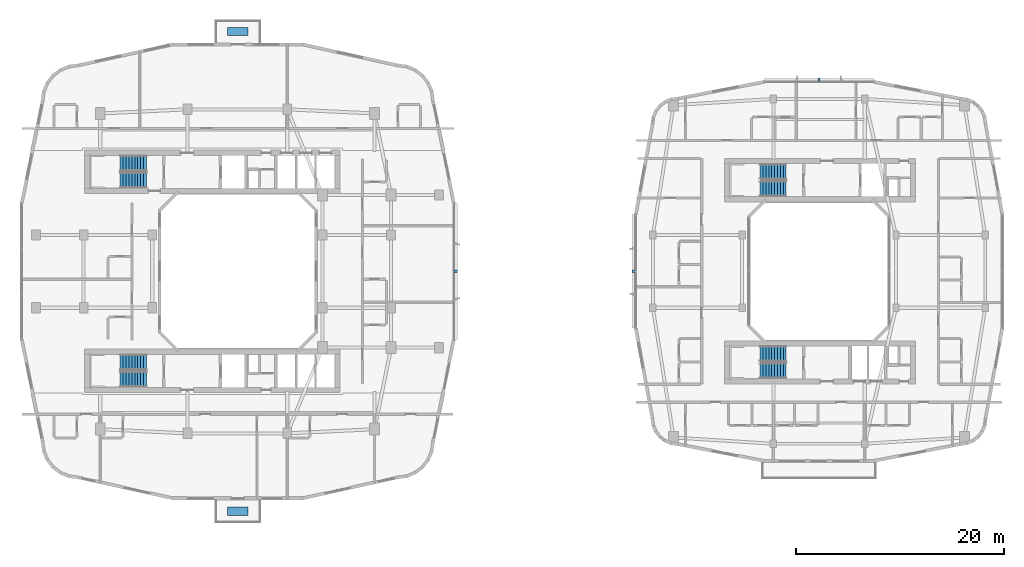
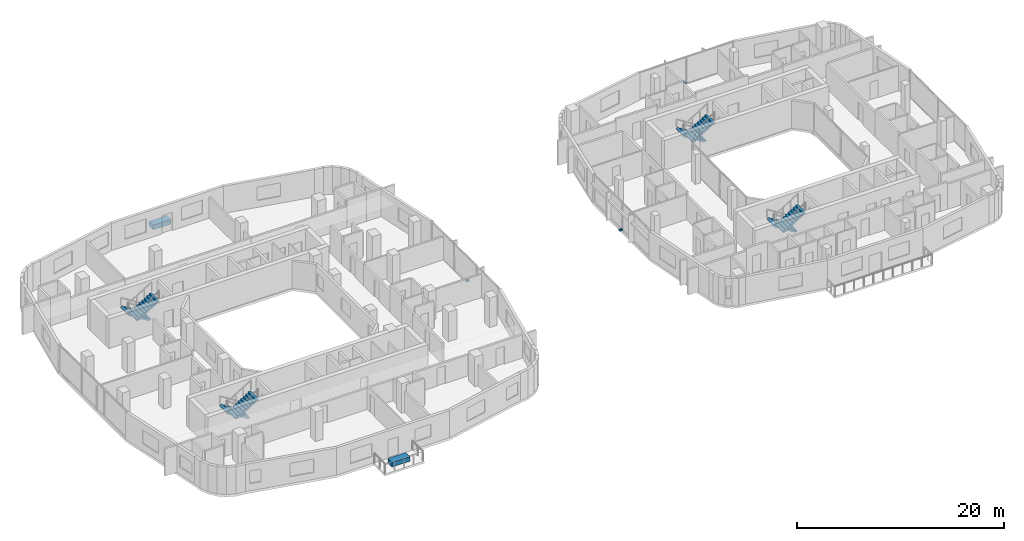
# One storey, part 18 of 24: 8 stair flights, 5 discrete accessories, 4 elements without a shape of their own.
"""IFC4 building model written with IfcOpenShell, lengths in metres."""

from ifc_helpers import new_model, si_unit, derived_unit, direction, frame, origin, origin_2d, place, context, subcontext, project, spatial, polyline, rectangle, outline, extrude, material, type_object, element, aggregate, save


model = new_model("IFC4")

# Units and contexts
model_context = context("Model", 3, precision=1e-05, world=origin(), true_north=direction((0.0, 1.0)))
body_context = subcontext(model_context, "Body", "Model", "MODEL_VIEW")
ifc_project = project(units=[si_unit("LENGTHUNIT", "METRE"), si_unit("AREAUNIT", "SQUARE_METRE"), si_unit("VOLUMEUNIT", "CUBIC_METRE"), si_unit("PLANEANGLEUNIT", "RADIAN"), si_unit("MASSUNIT", "GRAM", prefix="KILO"), derived_unit("THERMALTRANSMITTANCEUNIT", [(si_unit("POWERUNIT", "WATT"), 1), (si_unit("LENGTHUNIT", "METRE"), -2), (si_unit("THERMODYNAMICTEMPERATUREUNIT", "KELVIN"), -1)])], contexts=[model_context])

# Site, building, storey
site_placement = place(None, origin())
site = spatial("IfcSite", under=ifc_project, at=site_placement, CompositionType="ELEMENT")
building_placement = place(site_placement, origin())
building = spatial("IfcBuilding", under=site, at=building_placement, Name="Kivonza Crest Hotel", CompositionType="ELEMENT")
storey_placement = place(building_placement, frame((0.0, 0.0, 80.0)))
storey = spatial("IfcBuildingStorey", under=building, at=storey_placement, Name="L21", CompositionType="ELEMENT", Elevation=80.0)

# Stair, stair flights
ifc_material_1 = material(Name="Concrete C40/50", Category="concrete")
stair_type = type_object("IfcStairType", Name="ST-DL-20R", PredefinedType="HALF_TURN_STAIR", material=ifc_material_1)
stair_1_placement = place(storey_placement, origin())
stair_1 = element("IfcStair", 1, at=stair_1_placement, inside=storey, type_object=stair_type, Name="L21 Protected Exit Stair ST-T1-N", PredefinedType="HALF_TURN_STAIR")
stair_flight_type = type_object("IfcStairFlightType", Name="SFL-RC-10R", PredefinedType="STRAIGHT", material=ifc_material_1)
stair_flight_1_placement = place(storey_placement, frame((12.239990234375, 35.409912109375, 0.0), z_axis=(0.0, 0.0, 1.0), x_axis=(-1.0, 0.0, 0.0)))
stair_flight_1 = element("IfcStairFlight", 2, at=stair_flight_1_placement, type_object=stair_flight_type, Name="ST-T1-N flight 1", NumberOfRisers=10, NumberOfTreads=9, PredefinedType="STRAIGHT", RiserHeight=0.175, TreadLength=0.28, context=body_context, shape_type="SweptSolid", body=[
    extrude(outline(polyline([(0.0, 0.0), (0.0, 0.175048828125), (0.280029296875, 0.175048828125), (0.280029296875, 0.35009765625), (0.56005859375, 0.35009765625), (0.56005859375, 0.52490234375), (0.840087890625, 0.52490234375), (0.840087890625, 0.699951171875), (1.1201171875, 0.699951171875), (1.1201171875, 0.875), (1.39990234375, 0.875), (1.39990234375, 1.050048828125), (1.679931640625, 1.050048828125), (1.679931640625, 1.22509765625), (1.9599609375, 1.22509765625), (1.9599609375, 1.39990234375), (2.239990234375, 1.39990234375), (2.239990234375, 1.574951171875), (2.52001953125, 1.574951171875), (2.52001953125, 1.75), (2.52001953125, 1.398193359375), (0.28271484375, 0.0), (0.0, 0.0)])), frame((0.0, 0.75, 0.0), z_axis=(0.0, -1.0, 0.0), x_axis=(1.0, 0.0, 0.0)), (0.0, 0.0, 1.0), 1.5),
])
stair_flight_2_placement = place(storey_placement, frame((9.719970703125, 33.77001953125, 1.75), z_axis=(0.0, 0.0, 1.0), x_axis=(1.0, 0.0, 0.0)))
stair_flight_2 = element("IfcStairFlight", 3, at=stair_flight_2_placement, type_object=stair_flight_type, Name="ST-T1-N flight 2", NumberOfRisers=10, NumberOfTreads=9, PredefinedType="STRAIGHT", RiserHeight=0.175, TreadLength=0.28, context=body_context, shape_type="SweptSolid", body=[
    extrude(outline(polyline([(0.0, 0.0), (0.0, 0.175048828125), (0.280029296875, 0.175048828125), (0.280029296875, 0.35009765625), (0.56005859375, 0.35009765625), (0.56005859375, 0.52490234375), (0.840087890625, 0.52490234375), (0.840087890625, 0.699951171875), (1.1201171875, 0.699951171875), (1.1201171875, 0.875), (1.39990234375, 0.875), (1.39990234375, 1.050048828125), (1.679931640625, 1.050048828125), (1.679931640625, 1.22509765625), (1.9599609375, 1.22509765625), (1.9599609375, 1.39990234375), (2.239990234375, 1.39990234375), (2.239990234375, 1.574951171875), (2.52001953125, 1.574951171875), (2.52001953125, 1.75), (2.52001953125, 1.398193359375), (0.28271484375, 0.0), (0.0, 0.0)])), frame((0.0, 0.75, 0.0), z_axis=(0.0, -1.0, 0.0), x_axis=(1.0, 0.0, 0.0)), (0.0, 0.0, 1.0), 1.5),
])
aggregate(stair_1, [stair_flight_1, stair_flight_2])

stair_2_placement = place(storey_placement, origin())
stair_2 = element("IfcStair", 4, at=stair_2_placement, inside=storey, type_object=stair_type, Name="L21 Protected Exit Stair ST-T1-S", PredefinedType="HALF_TURN_STAIR")
stair_flight_3_placement = place(storey_placement, frame((12.239990234375, 16.25, 0.0), z_axis=(0.0, 0.0, 1.0), x_axis=(-1.0, 0.0, 0.0)))
stair_flight_3 = element("IfcStairFlight", 5, at=stair_flight_3_placement, type_object=stair_flight_type, Name="ST-T1-S flight 1", NumberOfRisers=10, NumberOfTreads=9, PredefinedType="STRAIGHT", RiserHeight=0.175, TreadLength=0.28, context=body_context, shape_type="SweptSolid", body=[
    extrude(outline(polyline([(0.0, 0.0), (0.0, 0.175048828125), (0.280029296875, 0.175048828125), (0.280029296875, 0.35009765625), (0.56005859375, 0.35009765625), (0.56005859375, 0.52490234375), (0.840087890625, 0.52490234375), (0.840087890625, 0.699951171875), (1.1201171875, 0.699951171875), (1.1201171875, 0.875), (1.39990234375, 0.875), (1.39990234375, 1.050048828125), (1.679931640625, 1.050048828125), (1.679931640625, 1.22509765625), (1.9599609375, 1.22509765625), (1.9599609375, 1.39990234375), (2.239990234375, 1.39990234375), (2.239990234375, 1.574951171875), (2.52001953125, 1.574951171875), (2.52001953125, 1.75), (2.52001953125, 1.398193359375), (0.28271484375, 0.0), (0.0, 0.0)])), frame((0.0, 0.75, 0.0), z_axis=(0.0, -1.0, 0.0), x_axis=(1.0, 0.0, 0.0)), (0.0, 0.0, 1.0), 1.5),
])
stair_flight_4_placement = place(storey_placement, frame((9.719970703125, 14.610107421875, 1.75), z_axis=(0.0, 0.0, 1.0), x_axis=(1.0, 0.0, 0.0)))
stair_flight_4 = element("IfcStairFlight", 6, at=stair_flight_4_placement, type_object=stair_flight_type, Name="ST-T1-S flight 2", NumberOfRisers=10, NumberOfTreads=9, PredefinedType="STRAIGHT", RiserHeight=0.175, TreadLength=0.28, context=body_context, shape_type="SweptSolid", body=[
    extrude(outline(polyline([(0.0, 0.0), (0.0, 0.175048828125), (0.280029296875, 0.175048828125), (0.280029296875, 0.35009765625), (0.56005859375, 0.35009765625), (0.56005859375, 0.52490234375), (0.840087890625, 0.52490234375), (0.840087890625, 0.699951171875), (1.1201171875, 0.699951171875), (1.1201171875, 0.875), (1.39990234375, 0.875), (1.39990234375, 1.050048828125), (1.679931640625, 1.050048828125), (1.679931640625, 1.22509765625), (1.9599609375, 1.22509765625), (1.9599609375, 1.39990234375), (2.239990234375, 1.39990234375), (2.239990234375, 1.574951171875), (2.52001953125, 1.574951171875), (2.52001953125, 1.75), (2.52001953125, 1.398193359375), (0.28271484375, 0.0), (0.0, 0.0)])), frame((0.0, 0.75, 0.0), z_axis=(0.0, -1.0, 0.0), x_axis=(1.0, 0.0, 0.0)), (0.0, 0.0, 1.0), 1.5),
])
aggregate(stair_2, [stair_flight_3, stair_flight_4])

stair_3_placement = place(storey_placement, origin())
stair_3 = element("IfcStair", 7, at=stair_3_placement, inside=storey, type_object=stair_type, Name="L21 Protected Exit Stair ST-T2-N", PredefinedType="HALF_TURN_STAIR")
stair_flight_5_placement = place(storey_placement, frame((73.840087890625, 34.610107421875, 0.0), z_axis=(0.0, 0.0, 1.0), x_axis=(-1.0, 0.0, 0.0)))
stair_flight_5 = element("IfcStairFlight", 8, at=stair_flight_5_placement, type_object=stair_flight_type, Name="ST-T2-N flight 1", NumberOfRisers=10, NumberOfTreads=9, PredefinedType="STRAIGHT", RiserHeight=0.175, TreadLength=0.28, context=body_context, shape_type="SweptSolid", body=[
    extrude(outline(polyline([(0.0, 0.0), (0.0, 0.175048828125), (0.280029296875, 0.175048828125), (0.280029296875, 0.35009765625), (0.56005859375, 0.35009765625), (0.56005859375, 0.52490234375), (0.840087890625, 0.52490234375), (0.840087890625, 0.699951171875), (1.1201171875, 0.699951171875), (1.1201171875, 0.875), (1.39990234375, 0.875), (1.39990234375, 1.050048828125), (1.679931640625, 1.050048828125), (1.679931640625, 1.22509765625), (1.9599609375, 1.22509765625), (1.9599609375, 1.39990234375), (2.239990234375, 1.39990234375), (2.239990234375, 1.574951171875), (2.52001953125, 1.574951171875), (2.52001953125, 1.75), (2.52001953125, 1.398193359375), (0.28271484375, 0.0), (0.0, 0.0)])), frame((0.0, 0.75, 0.0), z_axis=(0.0, -1.0, 0.0), x_axis=(1.0, 0.0, 0.0)), (0.0, 0.0, 1.0), 1.5),
])
stair_flight_6_placement = place(storey_placement, frame((71.320068359375, 32.969970703125, 1.75), z_axis=(0.0, 0.0, 1.0), x_axis=(1.0, 0.0, 0.0)))
stair_flight_6 = element("IfcStairFlight", 9, at=stair_flight_6_placement, type_object=stair_flight_type, Name="ST-T2-N flight 2", NumberOfRisers=10, NumberOfTreads=9, PredefinedType="STRAIGHT", RiserHeight=0.175, TreadLength=0.28, context=body_context, shape_type="SweptSolid", body=[
    extrude(outline(polyline([(0.0, 0.0), (0.0, 0.175048828125), (0.280029296875, 0.175048828125), (0.280029296875, 0.35009765625), (0.56005859375, 0.35009765625), (0.56005859375, 0.52490234375), (0.840087890625, 0.52490234375), (0.840087890625, 0.699951171875), (1.1201171875, 0.699951171875), (1.1201171875, 0.875), (1.39990234375, 0.875), (1.39990234375, 1.050048828125), (1.679931640625, 1.050048828125), (1.679931640625, 1.22509765625), (1.9599609375, 1.22509765625), (1.9599609375, 1.39990234375), (2.239990234375, 1.39990234375), (2.239990234375, 1.574951171875), (2.52001953125, 1.574951171875), (2.52001953125, 1.75), (2.52001953125, 1.398193359375), (0.28271484375, 0.0), (0.0, 0.0)])), frame((0.0, 0.75, 0.0), z_axis=(0.0, -1.0, 0.0), x_axis=(1.0, 0.0, 0.0)), (0.0, 0.0, 1.0), 1.5),
])
aggregate(stair_3, [stair_flight_5, stair_flight_6])

stair_4_placement = place(storey_placement, origin())
stair_4 = element("IfcStair", 10, at=stair_4_placement, inside=storey, type_object=stair_type, Name="L21 Protected Exit Stair ST-T2-S", PredefinedType="HALF_TURN_STAIR")
stair_flight_7_placement = place(storey_placement, frame((73.840087890625, 17.050048828125, 0.0), z_axis=(0.0, 0.0, 1.0), x_axis=(-1.0, 0.0, 0.0)))
stair_flight_7 = element("IfcStairFlight", 11, at=stair_flight_7_placement, type_object=stair_flight_type, Name="ST-T2-S flight 1", NumberOfRisers=10, NumberOfTreads=9, PredefinedType="STRAIGHT", RiserHeight=0.175, TreadLength=0.28, context=body_context, shape_type="SweptSolid", body=[
    extrude(outline(polyline([(0.0, 0.0), (0.0, 0.175048828125), (0.280029296875, 0.175048828125), (0.280029296875, 0.35009765625), (0.56005859375, 0.35009765625), (0.56005859375, 0.52490234375), (0.840087890625, 0.52490234375), (0.840087890625, 0.699951171875), (1.1201171875, 0.699951171875), (1.1201171875, 0.875), (1.39990234375, 0.875), (1.39990234375, 1.050048828125), (1.679931640625, 1.050048828125), (1.679931640625, 1.22509765625), (1.9599609375, 1.22509765625), (1.9599609375, 1.39990234375), (2.239990234375, 1.39990234375), (2.239990234375, 1.574951171875), (2.52001953125, 1.574951171875), (2.52001953125, 1.75), (2.52001953125, 1.398193359375), (0.28271484375, 0.0), (0.0, 0.0)])), frame((0.0, 0.75, 0.0), z_axis=(0.0, -1.0, 0.0), x_axis=(1.0, 0.0, 0.0)), (0.0, 0.0, 1.0), 1.5),
])
stair_flight_8_placement = place(storey_placement, frame((71.320068359375, 15.409912109375, 1.75), z_axis=(0.0, 0.0, 1.0), x_axis=(1.0, 0.0, 0.0)))
stair_flight_8 = element("IfcStairFlight", 12, at=stair_flight_8_placement, type_object=stair_flight_type, Name="ST-T2-S flight 2", NumberOfRisers=10, NumberOfTreads=9, PredefinedType="STRAIGHT", RiserHeight=0.175, TreadLength=0.28, context=body_context, shape_type="SweptSolid", body=[
    extrude(outline(polyline([(0.0, 0.0), (0.0, 0.175048828125), (0.280029296875, 0.175048828125), (0.280029296875, 0.35009765625), (0.56005859375, 0.35009765625), (0.56005859375, 0.52490234375), (0.840087890625, 0.52490234375), (0.840087890625, 0.699951171875), (1.1201171875, 0.699951171875), (1.1201171875, 0.875), (1.39990234375, 0.875), (1.39990234375, 1.050048828125), (1.679931640625, 1.050048828125), (1.679931640625, 1.22509765625), (1.9599609375, 1.22509765625), (1.9599609375, 1.39990234375), (2.239990234375, 1.39990234375), (2.239990234375, 1.574951171875), (2.52001953125, 1.574951171875), (2.52001953125, 1.75), (2.52001953125, 1.398193359375), (0.28271484375, 0.0), (0.0, 0.0)])), frame((0.0, 0.75, 0.0), z_axis=(0.0, -1.0, 0.0), x_axis=(1.0, 0.0, 0.0)), (0.0, 0.0, 1.0), 1.5),
])
aggregate(stair_4, [stair_flight_7, stair_flight_8])

# Discrete accessories
ifc_material_2 = material(Name="Stainless steel 316", Category="steel")
discrete_accessory_type_1 = type_object("IfcDiscreteAccessoryType", Name="AC-BRACKET-240", PredefinedType="BRACKET", material=ifc_material_2)
for number, where, z_axis, x_axis, name in (
    (13, (42.0400390625, 25.0, -0.009765625), (0.0, 0.0, 1.0), (0.0, 1.0, 0.0), "L21 terracotta baguette support bracket CW-T1-L21-17"),
    (14, (77.0, 43.43994140625, -0.009765625), (0.0, 0.0, 1.0), (-1.0, 0.0, 0.0), "L21 terracotta baguette support bracket CW-T2-L21-26"),
    (15, (59.159912109375, 25.0, -0.009765625), (0.0, 0.0, 1.0), (0.0, -1.0, 0.0), "L21 terracotta baguette support bracket CW-T2-L21-35"),
):
    element("IfcDiscreteAccessory", number, at=place(storey_placement, frame(where, z_axis=z_axis, x_axis=x_axis)), inside=storey, type_object=discrete_accessory_type_1, Name=name, PredefinedType="BRACKET", context=body_context, shape_type="SweptSolid", body=[
        extrude(rectangle(XDim=0.219970703125, YDim=0.340087890625, at=origin_2d()), origin(), (0.0, 0.0, 1.0), 0.179931640625),
    ])
ifc_material_3 = material(Name="Precast GRC planter with engineered planting soil", Category="concrete")
discrete_accessory_type_2 = type_object("IfcDiscreteAccessoryType", Name="AC-PLANTER-1800", PredefinedType="USERDEFINED", material=ifc_material_3)
for number, where, z_axis, x_axis, name in (
    (16, (21.0400390625, 1.89990234375, 0.0), (0.0, 0.0, 1.0), (1.0, 0.0, 0.0), "T1 L21 SW sky-garden planter"),
    (17, (21.0400390625, 48.10009765625, 0.0), (0.0, 0.0, 1.0), (1.0, 0.0, 0.0), "T1 L21 NE sky-garden planter"),
):
    element("IfcDiscreteAccessory", number, at=place(storey_placement, frame(where, z_axis=z_axis, x_axis=x_axis)), inside=storey, type_object=discrete_accessory_type_2, Name=name, ObjectType="PLANTER", PredefinedType="USERDEFINED", context=body_context, shape_type="SweptSolid", body=[
        extrude(rectangle(XDim=2.0, YDim=0.800048828125, at=origin_2d()), origin(), (0.0, 0.0, 1.0), 0.550048828125),
    ])

save(model, "model.ifc")
